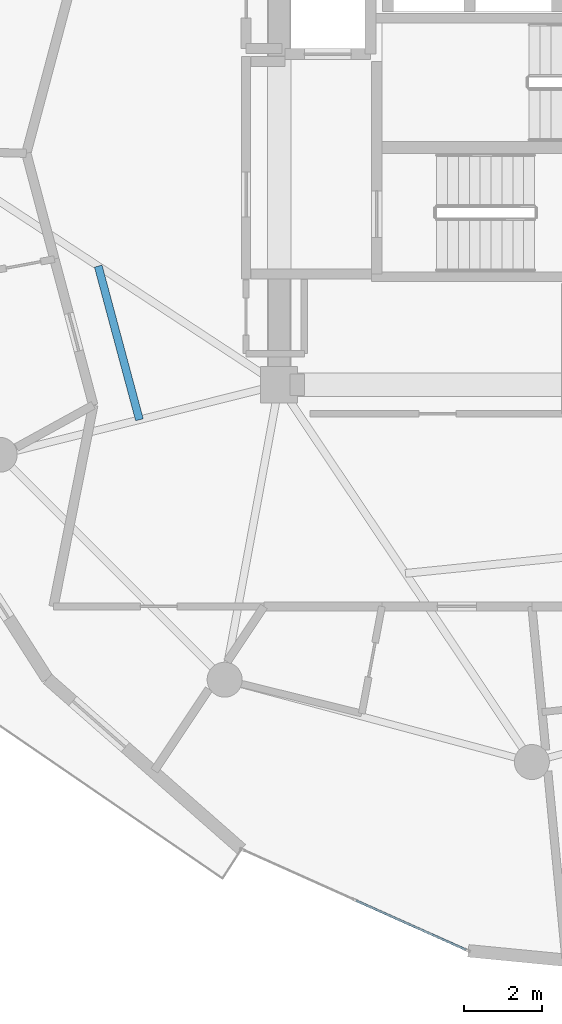
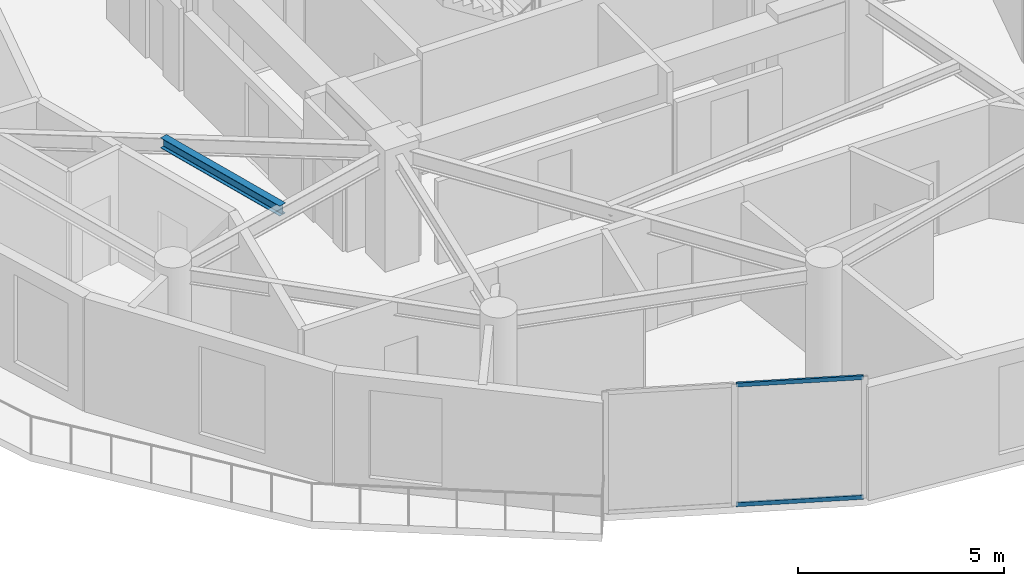
# One storey, part 3 of 21: 2 members, 1 beam, 1 element without a shape of its own.
"""IFC4 building model written with IfcOpenShell, lengths in metres."""

from ifc_helpers import new_model, si_unit, direction, frame, origin, origin_2d, place, context, subcontext, project, spatial, hollow_rectangle, i_section, extrude, source, transform, mapped, material, layer, layer_set, material_profile, profile_set, type_object, element, aggregate, save


model = new_model("IFC4")

# Units and contexts
model_context = context("Model", 3, precision=1e-05, world=origin(), true_north=direction((0.0, 1.0)))
body_context = subcontext(model_context, "Body", "Model", "MODEL_VIEW")
ifc_project = project(units=[si_unit("LENGTHUNIT", "METRE"), si_unit("AREAUNIT", "SQUARE_METRE"), si_unit("VOLUMEUNIT", "CUBIC_METRE"), si_unit("PLANEANGLEUNIT", "RADIAN"), si_unit("MASSUNIT", "GRAM", prefix="KILO")], contexts=[model_context])

# Site, building, storey
site_placement = place(None, origin())
site = spatial("IfcSite", under=ifc_project, at=site_placement, CompositionType="ELEMENT")
building_placement = place(site_placement, origin())
building = spatial("IfcBuilding", under=site, at=building_placement, Name="Solvirekh Grand Hotel", CompositionType="ELEMENT")
storey_placement = place(building_placement, frame((0.0, 0.0, 205.60009765625)))
storey = spatial("IfcBuildingStorey", under=building, at=storey_placement, Name="L53", CompositionType="ELEMENT", Elevation=205.60009765625)

# Beam
ifc_material_1 = material(Name="Steel S355", Category="steel")
ifc_material_profile_1 = material_profile(ifc_material_1, i_section(OverallWidth=0.202880859375, OverallDepth=0.302978515625, WebThickness=0.008056640625, FlangeThickness=0.012939453125, FilletRadius=0.010009765625, at=origin_2d()), Name="W310X60")
ifc_profile_set_1 = profile_set([ifc_material_profile_1], Name="Steel S355")
beam_type = type_object("IfcBeamType", Name="Joist_Floor_W310", PredefinedType="JOIST", material=ifc_profile_set_1)
beam_placement = place(storey_placement, frame((-11.14990234375, -3.050048828125, 3.208984375), z_axis=(0.25892209236, -0.965898208968, 0.0), x_axis=(0.965898208968, 0.25892209236, 0.0)))
element("IfcBeam", 1, at=beam_placement, inside=storey, type_object=beam_type, Name="L53 secondary composite floor joist 7", PredefinedType="JOIST", context=body_context, shape_type="SweptSolid", body=[
    extrude(i_section(OverallWidth=0.202880859375, OverallDepth=0.302978515625, WebThickness=0.008056640625, FlangeThickness=0.012939453125, FilletRadius=0.010009765625, at=origin_2d()), origin(), (0.0, 0.0, 1.0), 4.08935546875),
])

# Curtain wall, members
ifc_material_2 = material(Name="Anodized Bronze Aluminium 6063-T6", Category="aluminium")
ifc_layer = layer(ifc_material_2, 0.159912109375)
ifc_layer_set = layer_set([ifc_layer], Name="Anodized Bronze Aluminium 6063-T6")
curtain_wall_type = type_object("IfcCurtainWallType", Name="CW_Sys4_HighZoneFlushBronzeCW", PredefinedType="NOTDEFINED", material=ifc_layer_set)
curtain_wall_placement = place(storey_placement, origin())
curtain_wall = element("IfcCurtainWall", 2, at=curtain_wall_placement, inside=storey, type_object=curtain_wall_type, Name="L53 unitised bronze-glass curtain wall CW-L53-C18", PredefinedType="NOTDEFINED")
ifc_material_profile_2 = material_profile(ifc_material_2, hollow_rectangle(XDim=0.054931640625, YDim=0.1201171875, WallThickness=0.00390625, at=origin_2d()), Name="ALU RHS 120X55X4")
ifc_profile_set_2 = profile_set([ifc_material_profile_2], Name="Anodized Bronze Aluminium 6063-T6")
member_type = type_object("IfcMemberType", Name="CWTransom_Sys4", PredefinedType="USERDEFINED", material=ifc_profile_set_2)
shared_shape = source(origin(), body_context, "Body", "SweptSolid", [
    extrude(hollow_rectangle(XDim=0.054931640625, YDim=0.1201171875, WallThickness=0.00390625, at=origin_2d()), origin(), (0.0, 0.0, 1.0), 3.10498046875),
])
member_1_placement = place(storey_placement, frame((-4.524169921875, -19.35986328125, 0.02734375), z_axis=(0.912588249661, -0.408879794782, 0.0), x_axis=(0.408879794782, 0.912588249661, 0.0)))
member_1 = element("IfcMember", 3, at=member_1_placement, type_object=member_type, Name="U04 transom 2.1", ObjectType="TRANSOM", PredefinedType="USERDEFINED", context=body_context, shape_type="MappedRepresentation", body=[
    mapped(shared_shape, transform((0.0, 0.0, 0.0), x_axis=(1.0, 0.0, 0.0), y_axis=(0.0, 1.0, 0.0), z_axis=(0.0, 0.0, 1.0), scale=1.0)),
])
member_2_placement = place(storey_placement, frame((-4.524169921875, -19.35986328125, 3.572509765625), z_axis=(0.912588249661, -0.408879794782, 0.0), x_axis=(0.408879794782, 0.912588249661, 0.0)))
member_2 = element("IfcMember", 4, at=member_2_placement, type_object=member_type, Name="U04 transom 2.2", ObjectType="TRANSOM", PredefinedType="USERDEFINED", context=body_context, shape_type="MappedRepresentation", body=[
    mapped(shared_shape, transform((0.0, 0.0, 0.0), x_axis=(1.0, 0.0, 0.0), y_axis=(0.0, 1.0, 0.0), z_axis=(0.0, 0.0, 1.0), scale=1.0)),
])
aggregate(curtain_wall, [member_1, member_2])

save(model, "model.ifc")
